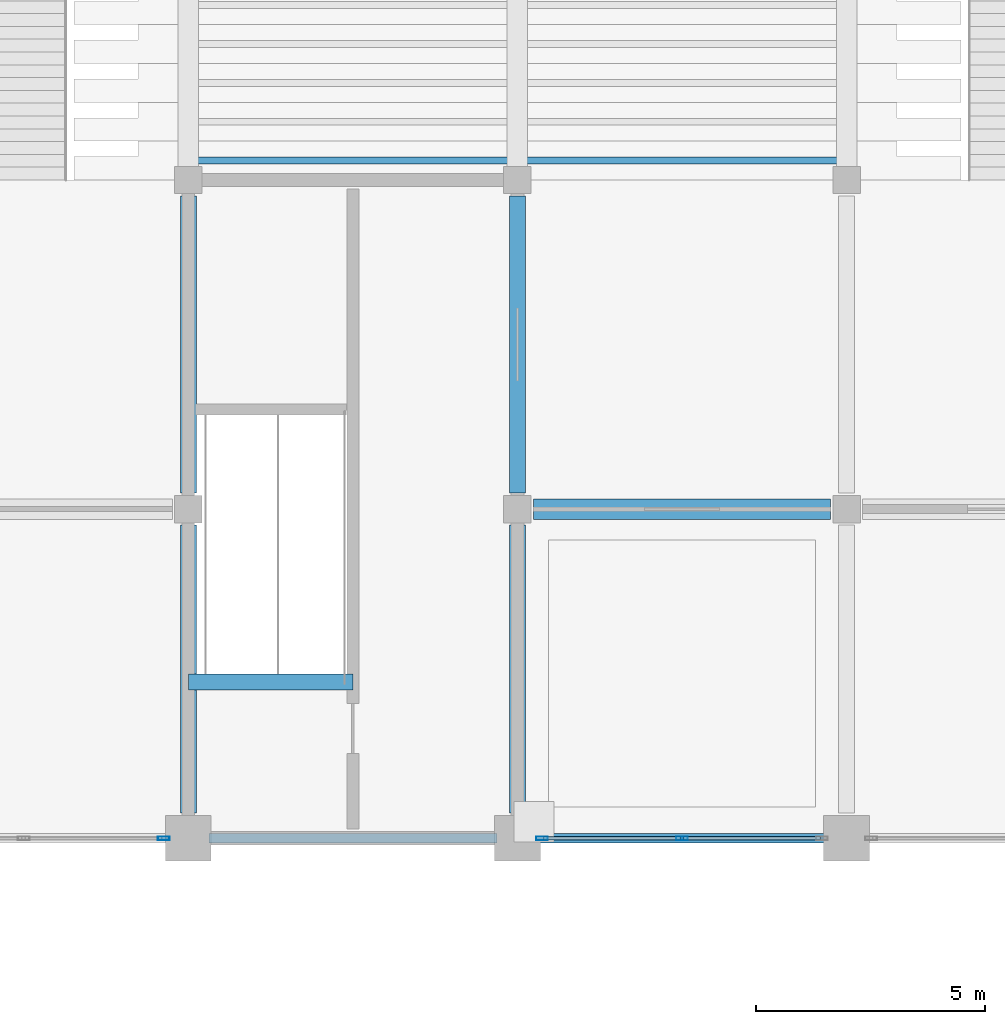
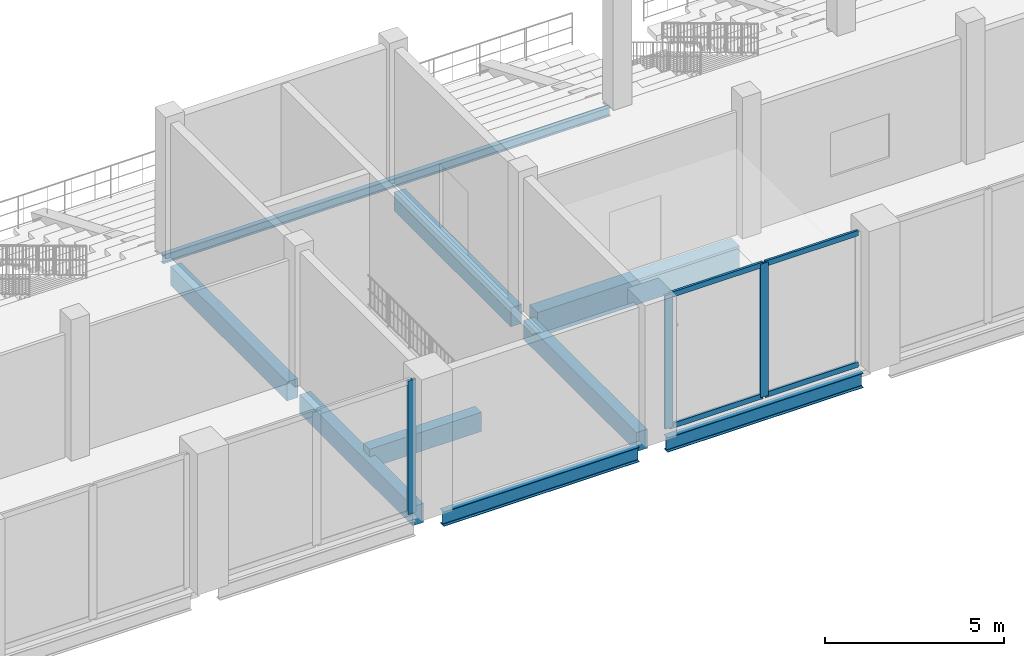
# One storey, part 11 of 99: 9 beams, 7 members, 2 elements without a shape of their own.
"""IFC4 building model written with IfcOpenShell, lengths in metres."""

from ifc_helpers import new_model, si_unit, direction, frame, origin, origin_2d, place, context, subcontext, project, spatial, rectangle, hollow_rectangle, i_section, extrude, material, material_profile, profile_set, type_object, element, aggregate, save


model = new_model("IFC4")

# Units and contexts
model_context = context("Model", 3, precision=1e-05, world=origin(), true_north=direction((0.0, 1.0)))
body_context = subcontext(model_context, "Body", "Model", "MODEL_VIEW")
ifc_project = project(units=[si_unit("LENGTHUNIT", "METRE"), si_unit("AREAUNIT", "SQUARE_METRE"), si_unit("VOLUMEUNIT", "CUBIC_METRE"), si_unit("PLANEANGLEUNIT", "RADIAN"), si_unit("MASSUNIT", "GRAM", prefix="KILO")], contexts=[model_context])

# Site, building, storey
site_placement = place(None, origin())
site = spatial("IfcSite", under=ifc_project, at=site_placement, CompositionType="ELEMENT")
building_placement = place(site_placement, origin())
building = spatial("IfcBuilding", under=site, at=building_placement, Name="Vesperath Aquatics Centre", CompositionType="ELEMENT")
storey_placement = place(building_placement, frame((0.0, 0.0, 5.39990234375)))
storey = spatial("IfcBuildingStorey", under=building, at=storey_placement, Name="L01", CompositionType="ELEMENT", Elevation=5.39990234375)

# Beams
ifc_material_1 = material(Name="Concrete C35", Category="concrete")
ifc_material_profile_1 = material_profile(ifc_material_1, rectangle(XDim=0.449951171875, YDim=0.85009765625, at=origin_2d()), Name="RC 450x850")
ifc_profile_set_1 = profile_set([ifc_material_profile_1], Name="Concrete C35")
beam_type_1 = type_object("IfcBeamType", Name="BM-G03", PredefinedType="BEAM", material=ifc_profile_set_1)
beam_1_placement = place(storey_placement, frame((57.949951171875, 21.60009765625, -0.684814453125), z_axis=(1.0, 0.0, 0.0), x_axis=(0.0, 1.0, 0.0)))
element("IfcBeam", 1, at=beam_1_placement, inside=storey, type_object=beam_type_1, Name="Floor Girder B03 L01 D 9-10", PredefinedType="BEAM", context=body_context, shape_type="SweptSolid", body=[
    extrude(rectangle(XDim=0.449951171875, YDim=0.85009765625, at=origin_2d()), origin(), (0.0, 0.0, 1.0), 6.5),
])
ifc_material_profile_2 = material_profile(ifc_material_1, rectangle(XDim=0.35009765625, YDim=0.64990234375, at=origin_2d()), Name="RC 350x650")
ifc_profile_set_2 = profile_set([ifc_material_profile_2], Name="Concrete C35")
beam_type_2 = type_object("IfcBeamType", Name="BM-G05", PredefinedType="BEAM", material=ifc_profile_set_2)
beam_2_placement = place(storey_placement, frame((50.39990234375, 14.949951171875, -0.5849609375), z_axis=(0.0, 1.0, 0.0), x_axis=(-1.0, 0.0, 0.0)))
element("IfcBeam", 2, at=beam_2_placement, inside=storey, type_object=beam_type_2, Name="Floor Girder B05 L01 8 C-D", PredefinedType="BEAM", context=body_context, shape_type="SweptSolid", body=[
    extrude(rectangle(XDim=0.35009765625, YDim=0.64990234375, at=origin_2d()), origin(), (0.0, 0.0, 1.0), 6.300048828125),
])
beam_3_placement = place(storey_placement, frame((50.39990234375, 21.949951171875, -0.5849609375), z_axis=(0.0, 1.0, 0.0), x_axis=(-1.0, 0.0, 0.0)))
element("IfcBeam", 3, at=beam_3_placement, inside=storey, type_object=beam_type_2, Name="Floor Girder B05 L01 8 D-E", PredefinedType="BEAM", context=body_context, shape_type="SweptSolid", body=[
    extrude(rectangle(XDim=0.35009765625, YDim=0.64990234375, at=origin_2d()), origin(), (0.0, 0.0, 1.0), 6.5),
])
beam_4_placement = place(storey_placement, frame((57.60009765625, 14.949951171875, -0.5849609375), z_axis=(0.0, 1.0, 0.0), x_axis=(-1.0, 0.0, 0.0)))
element("IfcBeam", 4, at=beam_4_placement, inside=storey, type_object=beam_type_2, Name="Floor Girder B05 L01 9 C-D", PredefinedType="BEAM", context=body_context, shape_type="SweptSolid", body=[
    extrude(rectangle(XDim=0.35009765625, YDim=0.64990234375, at=origin_2d()), origin(), (0.0, 0.0, 1.0), 6.300048828125),
])
beam_5_placement = place(storey_placement, frame((57.60009765625, 21.949951171875, -0.5849609375), z_axis=(0.0, 1.0, 0.0), x_axis=(-1.0, 0.0, 0.0)))
element("IfcBeam", 5, at=beam_5_placement, inside=storey, type_object=beam_type_2, Name="Floor Girder B05 L01 9 D-E", PredefinedType="BEAM", context=body_context, shape_type="SweptSolid", body=[
    extrude(rectangle(XDim=0.35009765625, YDim=0.64990234375, at=origin_2d()), origin(), (0.0, 0.0, 1.0), 6.5),
])
beam_6_placement = place(storey_placement, frame((50.39990234375, 17.820068359375, -0.324951171875), z_axis=(1.0, 0.0, 0.0), x_axis=(0.0, 1.0, 0.0)))
element("IfcBeam", 6, at=beam_6_placement, inside=storey, type_object=beam_type_2, Name="Stair ST9 Landing Trimmer Beam B05 L01", PredefinedType="BEAM", context=body_context, shape_type="SweptSolid", body=[
    extrude(rectangle(XDim=0.35009765625, YDim=0.64990234375, at=origin_2d()), origin(), (0.0, 0.0, 1.0), 3.60009765625),
])
ifc_material_2 = material(Name="Steel Q355C", Category="steel")
ifc_material_profile_3 = material_profile(ifc_material_2, i_section(OverallWidth=0.14990234375, OverallDepth=0.300048828125, WebThickness=0.006591796875, FlangeThickness=0.009033203125, FilletRadius=0.012939453125, at=origin_2d()), Name="HN 300x150x6.5x9")
ifc_profile_set_3 = profile_set([ifc_material_profile_3], Name="Steel Q355C")
beam_type_3 = type_object("IfcBeamType", Name="BM-J06", PredefinedType="JOIST", material=ifc_profile_set_3)
beam_7_placement = place(storey_placement, frame((50.39990234375, 29.22509765625, -0.52978515625), z_axis=(1.0, 0.0, 0.0), x_axis=(0.0, 1.0, 0.0)))
element("IfcBeam", 7, at=beam_7_placement, inside=storey, type_object=beam_type_3, Name="Lower Tier Bearer Beam J06 S-R1-B3M", PredefinedType="JOIST", context=body_context, shape_type="SweptSolid", body=[
    extrude(i_section(OverallWidth=0.14990234375, OverallDepth=0.300048828125, WebThickness=0.006591796875, FlangeThickness=0.009033203125, FilletRadius=0.012939453125, at=origin_2d()), origin(), (0.0, 0.0, 1.0), 14.400146484375),
])
ifc_material_3 = material(Name="Steel Q355D", Category="steel")
ifc_material_profile_4 = material_profile(ifc_material_3, i_section(OverallWidth=0.199951171875, OverallDepth=0.5, WebThickness=0.010009765625, FlangeThickness=0.01611328125, FilletRadius=0.02001953125, at=origin_2d()), Name="HN 500x200x10x16")
ifc_profile_set_4 = profile_set([ifc_material_profile_4], Name="Steel Q355D")
beam_type_4 = type_object("IfcBeamType", Name="BM-SP01", PredefinedType="SPANDREL", material=ifc_profile_set_4)
beam_8_placement = place(storey_placement, frame((50.85009765625, 14.39990234375, -0.510009765625), z_axis=(1.0, 0.0, 0.0), x_axis=(0.0, 1.0, 0.0)))
element("IfcBeam", 8, at=beam_8_placement, inside=storey, type_object=beam_type_4, Name="Floor Girder SP01 L01 C 8-9", PredefinedType="SPANDREL", context=body_context, shape_type="SweptSolid", body=[
    extrude(i_section(OverallWidth=0.199951171875, OverallDepth=0.5, WebThickness=0.010009765625, FlangeThickness=0.01611328125, FilletRadius=0.02001953125, at=origin_2d()), origin(), (0.0, 0.0, 1.0), 6.2998046875),
])
beam_9_placement = place(storey_placement, frame((58.050048828125, 14.39990234375, -0.510009765625), z_axis=(1.0, 0.0, 0.0), x_axis=(0.0, 1.0, 0.0)))
element("IfcBeam", 9, at=beam_9_placement, inside=storey, type_object=beam_type_4, Name="Floor Girder SP01 L01 C 9-10", PredefinedType="SPANDREL", context=body_context, shape_type="SweptSolid", body=[
    extrude(i_section(OverallWidth=0.199951171875, OverallDepth=0.5, WebThickness=0.010009765625, FlangeThickness=0.01611328125, FilletRadius=0.02001953125, at=origin_2d()), origin(), (0.0, 0.0, 1.0), 6.300048828125),
])

# Curtain wall, member
ifc_material_4 = material(Name="Thermally broken anodised bronze aluminium curtain wall", Category="aluminium")
curtain_wall_type = type_object("IfcCurtainWallType", Name="CW-02", PredefinedType="NOTDEFINED", material=ifc_material_4)
curtain_wall_1_placement = place(storey_placement, origin())
curtain_wall_1 = element("IfcCurtainWall", 10, at=curtain_wall_1_placement, inside=storey, type_object=curtain_wall_type, Name="Facade Curtain Wall CW02 L01_S_06_02", PredefinedType="NOTDEFINED")
ifc_material_5 = material(Name="Thermally broken anodised aluminium", Category="aluminium")
ifc_material_profile_5 = material_profile(ifc_material_5, hollow_rectangle(XDim=0.074951171875, YDim=0.260009765625, WallThickness=0.006103515625, at=origin_2d()), Name="CWM 75x260x6")
ifc_profile_set_5 = profile_set([ifc_material_profile_5], Name="Thermally broken anodised aluminium")
member_type_1 = type_object("IfcMemberType", Name="MB-CWM1", PredefinedType="MULLION", material=ifc_profile_set_5)
member_1_placement = place(storey_placement, frame((49.862548828125, 14.39990234375, 0.0), z_axis=(0.0, 0.0, 1.0), x_axis=(0.0, 1.0, 0.0)))
member_1 = element("IfcMember", 11, at=member_1_placement, type_object=member_type_1, Name="CW02 mullion 3", PredefinedType="MULLION", context=body_context, shape_type="SweptSolid", body=[
    extrude(hollow_rectangle(XDim=0.074951171875, YDim=0.260009765625, WallThickness=0.006103515625, at=origin_2d()), origin(), (0.0, 0.0, 1.0), 4.5400390625),
])
aggregate(curtain_wall_1, [member_1])

# Curtain wall, members
curtain_wall_2_placement = place(storey_placement, origin())
curtain_wall_2 = element("IfcCurtainWall", 12, at=curtain_wall_2_placement, inside=storey, type_object=curtain_wall_type, Name="Facade Curtain Wall CW02 L01_S_08_02", PredefinedType="NOTDEFINED")
member_2_placement = place(storey_placement, frame((58.137451171875, 14.39990234375, 0.0), z_axis=(0.0, 0.0, 1.0), x_axis=(0.0, 1.0, 0.0)))
member_2 = element("IfcMember", 13, at=member_2_placement, type_object=member_type_1, Name="CW02 mullion 1", PredefinedType="MULLION", context=body_context, shape_type="SweptSolid", body=[
    extrude(hollow_rectangle(XDim=0.074951171875, YDim=0.260009765625, WallThickness=0.006103515625, at=origin_2d()), origin(), (0.0, 0.0, 1.0), 4.5400390625),
])
member_3_placement = place(storey_placement, frame((61.199951171875, 14.39990234375, 0.0), z_axis=(0.0, 0.0, 1.0), x_axis=(0.0, 1.0, 0.0)))
member_3 = element("IfcMember", 14, at=member_3_placement, type_object=member_type_1, Name="CW02 mullion 2", PredefinedType="MULLION", context=body_context, shape_type="SweptSolid", body=[
    extrude(hollow_rectangle(XDim=0.074951171875, YDim=0.260009765625, WallThickness=0.006103515625, at=origin_2d()), origin(), (0.0, 0.0, 1.0), 4.5400390625),
])
ifc_material_profile_6 = material_profile(ifc_material_5, hollow_rectangle(XDim=0.074951171875, YDim=0.179931640625, WallThickness=0.0048828125, at=origin_2d()), Name="CWT 75x180x5")
ifc_profile_set_6 = profile_set([ifc_material_profile_6], Name="Thermally broken anodised aluminium")
member_type_2 = type_object("IfcMemberType", Name="MB-CWT1", PredefinedType="USERDEFINED", material=ifc_profile_set_6)
member_4_placement = place(storey_placement, frame((58.175048828125, 14.39990234375, 0.03759765625), z_axis=(1.0, 0.0, 0.0), x_axis=(0.0, 1.0, 0.0)))
member_4 = element("IfcMember", 15, at=member_4_placement, type_object=member_type_2, Name="CW02 transom 1.1", ObjectType="TRANSOM", PredefinedType="USERDEFINED", context=body_context, shape_type="SweptSolid", body=[
    extrude(hollow_rectangle(XDim=0.074951171875, YDim=0.179931640625, WallThickness=0.0048828125, at=origin_2d()), origin(), (0.0, 0.0, 1.0), 2.987548828125),
])
member_5_placement = place(storey_placement, frame((58.175048828125, 14.39990234375, 4.502685546875), z_axis=(1.0, 0.0, 0.0), x_axis=(0.0, 1.0, 0.0)))
member_5 = element("IfcMember", 16, at=member_5_placement, type_object=member_type_2, Name="CW02 transom 1.2", ObjectType="TRANSOM", PredefinedType="USERDEFINED", context=body_context, shape_type="SweptSolid", body=[
    extrude(hollow_rectangle(XDim=0.074951171875, YDim=0.179931640625, WallThickness=0.0048828125, at=origin_2d()), origin(), (0.0, 0.0, 1.0), 2.987548828125),
])
member_6_placement = place(storey_placement, frame((61.237548828125, 14.39990234375, 0.03759765625), z_axis=(1.0, 0.0, 0.0), x_axis=(0.0, 1.0, 0.0)))
member_6 = element("IfcMember", 17, at=member_6_placement, type_object=member_type_2, Name="CW02 transom 2.1", ObjectType="TRANSOM", PredefinedType="USERDEFINED", context=body_context, shape_type="SweptSolid", body=[
    extrude(hollow_rectangle(XDim=0.074951171875, YDim=0.179931640625, WallThickness=0.0048828125, at=origin_2d()), origin(), (0.0, 0.0, 1.0), 2.987548828125),
])
member_7_placement = place(storey_placement, frame((61.237548828125, 14.39990234375, 4.502685546875), z_axis=(1.0, 0.0, 0.0), x_axis=(0.0, 1.0, 0.0)))
member_7 = element("IfcMember", 18, at=member_7_placement, type_object=member_type_2, Name="CW02 transom 2.2", ObjectType="TRANSOM", PredefinedType="USERDEFINED", context=body_context, shape_type="SweptSolid", body=[
    extrude(hollow_rectangle(XDim=0.074951171875, YDim=0.179931640625, WallThickness=0.0048828125, at=origin_2d()), origin(), (0.0, 0.0, 1.0), 2.987548828125),
])
aggregate(curtain_wall_2, [member_2, member_3, member_4, member_5, member_6, member_7])

save(model, "model.ifc")
